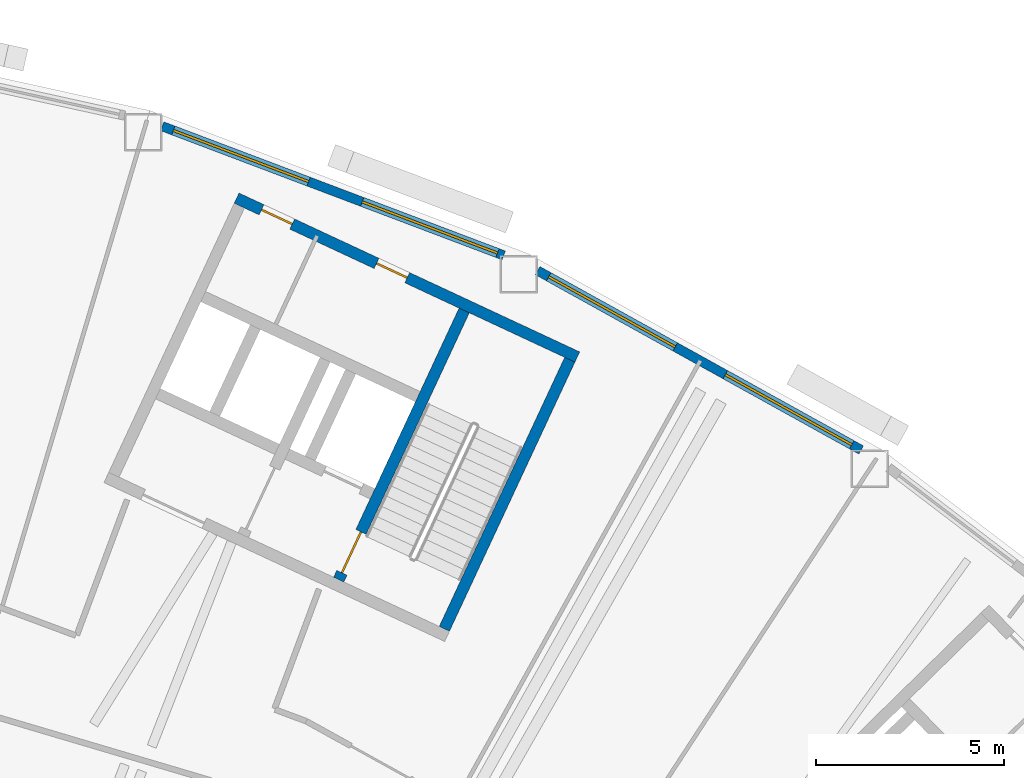
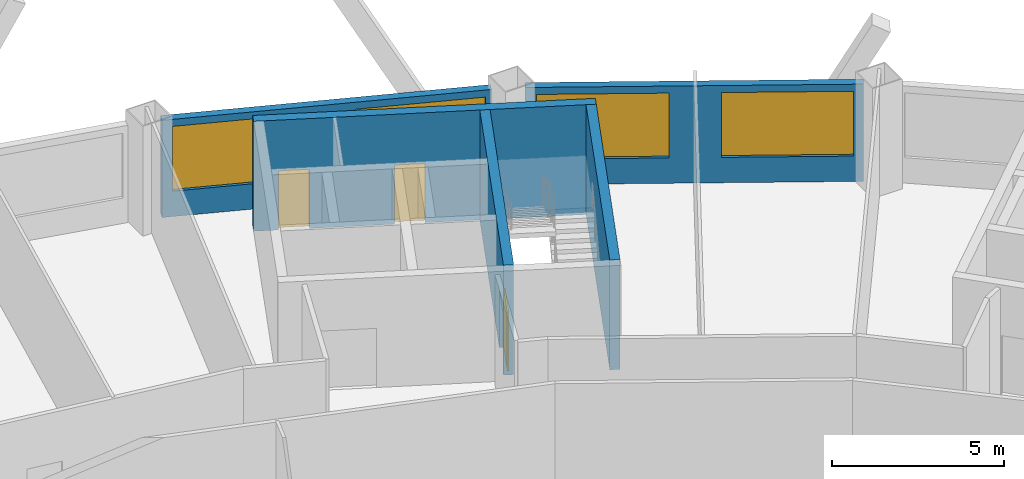
# One storey, part 8 of 11: 5 walls, 4 windows, 3 doors, 7 openings.
"""IFC4 building model written with IfcOpenShell, lengths in metres."""

from ifc_helpers import new_model, si_unit, direction, frame, frame_2d, origin, place, context, subcontext, project, spatial, rectangle, extrude, material, layer, layer_set, type_object, element, fill, save


model = new_model("IFC4")

# Units and contexts
model_context = context("Model", 3, precision=1e-05, world=origin(), true_north=direction((0.0, 1.0)))
body_context = subcontext(model_context, "Body", "Model", "MODEL_VIEW")
ifc_project = project(units=[si_unit("LENGTHUNIT", "METRE"), si_unit("AREAUNIT", "SQUARE_METRE"), si_unit("VOLUMEUNIT", "CUBIC_METRE"), si_unit("PLANEANGLEUNIT", "RADIAN"), si_unit("MASSUNIT", "GRAM", prefix="KILO")], contexts=[model_context])

# Site, building, storey
site_placement = place(None, origin())
site = spatial("IfcSite", under=ifc_project, at=site_placement, CompositionType="ELEMENT")
building_placement = place(site_placement, origin())
building = spatial("IfcBuilding", under=site, at=building_placement, Name="Tuul Gate Civic Tower", CompositionType="ELEMENT")
storey_placement = place(building_placement, frame((0.0, 0.0, 138.199951171875)))
storey = spatial("IfcBuildingStorey", under=building, at=storey_placement, Name="Level 31", CompositionType="ELEMENT", Elevation=138.199951171875)

# Wall, openings, doors
ifc_material_1 = material(Name="Concrete C50/60", Category="concrete")
ifc_layer_1 = layer(ifc_material_1, 0.300048828125)
ifc_layer_set_1 = layer_set([ifc_layer_1], Name="Concrete C50/60")
wall_type_1 = type_object("IfcWallType", Name="Core wall C50/60", PredefinedType="SHEAR", material=ifc_layer_set_1)
wall_1_placement = place(storey_placement, frame((37.993408203125, 0.181884765625, 0.0), z_axis=(0.0, 0.0, 1.0), x_axis=(-0.906310338845, 0.422612789327, 0.0)))
wall_1 = element("IfcWall", 1, at=wall_1_placement, inside=storey, type_object=wall_type_1, Name="Core wall", PredefinedType="SHEAR", context=body_context, shape_type="SweptSolid", body=[
    extrude(rectangle(XDim=9.999755859375, YDim=0.300048828125, at=frame_2d((5.0, 0.0))), origin(), (0.0, 0.0, 1.0), 3.900146484375),
])
opening_1_placement = place(wall_1_placement, frame((4.99365234375, 0.0, 0.0)))
opening_1 = element("IfcOpeningElement", 2, at=opening_1_placement, cuts=wall_1, Name="Opening K-D26", PredefinedType="OPENING", context=body_context, shape_type="SweptSolid", body=[
    extrude(rectangle(XDim=0.89990234375, YDim=2.10009765625, at=frame_2d((0.449951171875, 1.050048828125))), frame((0.0, 0.16015625, 0.0), z_axis=(0.0, -1.0, 0.0), x_axis=(1.0, 0.0, 0.0)), (0.0, 0.0, 1.0), 0.320068359375),
])
opening_2_placement = place(wall_1_placement, frame((8.368896484375, 0.0, 0.0)))
opening_2 = element("IfcOpeningElement", 3, at=opening_2_placement, cuts=wall_1, Name="Opening K-D27", PredefinedType="OPENING", context=body_context, shape_type="SweptSolid", body=[
    extrude(rectangle(XDim=0.89990234375, YDim=2.10009765625, at=frame_2d((0.449951171875, 1.050048828125))), frame((0.0, 0.16015625, 0.0), z_axis=(0.0, -1.0, 0.0), x_axis=(1.0, 0.0, 0.0)), (0.0, 0.0, 1.0), 0.320068359375),
])
ifc_material_2 = material(Name="Timber door leaf", Category="wood")
door_type_1 = type_object("IfcDoorType", Name="Door D09", OperationType="NOTDEFINED", PredefinedType="DOOR", material=ifc_material_2)
door_1_placement = place(opening_1_placement, origin())
door_1 = element("IfcDoor", 4, at=door_1_placement, inside=storey, type_object=door_type_1, Name="Door K-D26", OperationType="SINGLE_SWING_LEFT", OverallHeight=2.10009765625, OverallWidth=0.89990234375, PredefinedType="DOOR", context=body_context, shape_type="SweptSolid", body=[
    extrude(rectangle(XDim=0.89990234375, YDim=2.10009765625, at=frame_2d((0.449951171875, 1.050048828125))), frame((0.0, 0.02490234375, 0.0), z_axis=(0.0, -1.0, 0.0), x_axis=(1.0, 0.0, 0.0)), (0.0, 0.0, 1.0), 0.050048828125),
])
fill(opening_1, door_1)
door_2_placement = place(opening_2_placement, origin())
door_2 = element("IfcDoor", 5, at=door_2_placement, inside=storey, type_object=door_type_1, Name="Door K-D27", OperationType="SINGLE_SWING_RIGHT", OverallHeight=2.10009765625, OverallWidth=0.89990234375, PredefinedType="DOOR", context=body_context, shape_type="SweptSolid", body=[
    extrude(rectangle(XDim=0.89990234375, YDim=2.10009765625, at=frame_2d((0.449951171875, 1.050048828125))), frame((0.0, 0.02490234375, 0.0), z_axis=(0.0, -1.0, 0.0), x_axis=(1.0, 0.0, 0.0)), (0.0, 0.0, 1.0), 0.050048828125),
])
fill(opening_2, door_2)

# Wall
wall_2_placement = place(storey_placement, frame((34.455810546875, -7.05078125, 0.0), z_axis=(0.0, 0.0, 1.0), x_axis=(0.422570768258, 0.906329932096, 0.0)))
element("IfcWall", 6, at=wall_2_placement, inside=storey, type_object=wall_type_1, Name="Core wall", PredefinedType="SHEAR", context=body_context, shape_type="SweptSolid", body=[
    extrude(rectangle(XDim=7.900146484375, YDim=0.300048828125, at=frame_2d((3.9501953125, 0.0))), origin(), (0.0, 0.0, 1.0), 3.900146484375),
])

# Wall, opening, door
wall_3_placement = place(storey_placement, frame((31.646240234375, -5.740478515625, 0.0), z_axis=(0.0, 0.0, 1.0), x_axis=(0.422582604137, 0.906324413596, 0.0)))
wall_3 = element("IfcWall", 7, at=wall_3_placement, inside=storey, type_object=wall_type_1, Name="Core wall", PredefinedType="SHEAR", context=body_context, shape_type="SweptSolid", body=[
    extrude(rectangle(XDim=7.89990234375, YDim=0.300048828125, at=frame_2d((3.949951171875, 0.0))), origin(), (0.0, 0.0, 1.0), 3.900146484375),
])
opening_3_placement = place(wall_3_placement, frame((0.199951171875, 0.0, 0.0)))
opening_3 = element("IfcOpeningElement", 8, at=opening_3_placement, cuts=wall_3, Name="Opening SD-ST-4", PredefinedType="OPENING", context=body_context, shape_type="SweptSolid", body=[
    extrude(rectangle(XDim=1.199951171875, YDim=2.10009765625, at=frame_2d((0.60009765625, 1.050048828125))), frame((0.0, 0.16015625, 0.0), z_axis=(0.0, -1.0, 0.0), x_axis=(1.0, 0.0, 0.0)), (0.0, 0.0, 1.0), 0.320068359375),
])
ifc_material_3 = material(Name="Steel", Category="steel")
door_type_2 = type_object("IfcDoorType", Name="Stair door", OperationType="NOTDEFINED", PredefinedType="DOOR", material=ifc_material_3)
door_3_placement = place(opening_3_placement, origin())
door_3 = element("IfcDoor", 9, at=door_3_placement, inside=storey, type_object=door_type_2, Name="Stair door ST-4", OperationType="SINGLE_SWING_LEFT", OverallHeight=2.10009765625, OverallWidth=1.199951171875, PredefinedType="DOOR", context=body_context, shape_type="SweptSolid", body=[
    extrude(rectangle(XDim=1.199951171875, YDim=2.10009765625, at=frame_2d((0.60009765625, 1.050048828125))), frame((0.0, 0.02490234375, 0.0), z_axis=(0.0, -1.0, 0.0), x_axis=(1.0, 0.0, 0.0)), (0.0, 0.0, 1.0), 0.050048828125),
])
fill(opening_3, door_3)

# Wall, openings, windows
ifc_material_4 = material(Name="Precast concrete C40/50", Category="concrete")
ifc_layer_2 = layer(ifc_material_4, 0.25)
ifc_layer_set_2 = layer_set([ifc_layer_2], Name="Precast concrete C40/50")
wall_type_2 = type_object("IfcWallType", Name="External wall", PredefinedType="STANDARD", material=ifc_layer_set_2)
wall_4_placement = place(storey_placement, frame((45.545166015625, -2.291015625, 0.0), z_axis=(0.0, 0.0, 1.0), x_axis=(-0.874631968484, 0.484787499536, 0.0)))
wall_4 = element("IfcWall", 10, at=wall_4_placement, inside=storey, type_object=wall_type_2, Name="External wall", PredefinedType="STANDARD", context=body_context, shape_type="SweptSolid", body=[
    extrude(rectangle(XDim=9.8408203125, YDim=0.25, at=frame_2d((4.92041015625, 0.0))), origin(), (0.0, 0.0, 1.0), 3.449951171875),
])
opening_4_placement = place(wall_4_placement, frame((0.283447265625, 0.0, 0.89990234375)))
opening_4 = element("IfcOpeningElement", 11, at=opening_4_placement, cuts=wall_4, Name="Opening W22", PredefinedType="OPENING", context=body_context, shape_type="SweptSolid", body=[
    extrude(rectangle(XDim=3.85009765625, YDim=2.300048828125, at=frame_2d((1.925048828125, 1.14990234375))), frame((0.0, 0.135009765625, 0.0), z_axis=(0.0, -1.0, 0.0), x_axis=(1.0, 0.0, 0.0)), (0.0, 0.0, 1.0), 0.27001953125),
])
opening_5_placement = place(wall_4_placement, frame((5.655029296875, 0.0, 0.89990234375)))
opening_5 = element("IfcOpeningElement", 12, at=opening_5_placement, cuts=wall_4, Name="Opening W22", PredefinedType="OPENING", context=body_context, shape_type="SweptSolid", body=[
    extrude(rectangle(XDim=3.85009765625, YDim=2.300048828125, at=frame_2d((1.925048828125, 1.14990234375))), frame((0.0, 0.135009765625, 0.0), z_axis=(0.0, -1.0, 0.0), x_axis=(1.0, 0.0, 0.0)), (0.0, 0.0, 1.0), 0.27001953125),
])
ifc_material_5 = material(Name="Glass", Category="glass")
window_type = type_object("IfcWindowType", Name="Window W22 3850 x 2300", PartitioningType="SINGLE_PANEL", PredefinedType="WINDOW", material=ifc_material_5)
window_1_placement = place(opening_4_placement, origin())
window_1 = element("IfcWindow", 13, at=window_1_placement, inside=storey, type_object=window_type, Name="Window", OverallHeight=2.300048828125, OverallWidth=3.85009765625, PartitioningType="SINGLE_PANEL", PredefinedType="WINDOW", context=body_context, shape_type="SweptSolid", body=[
    extrude(rectangle(XDim=3.85009765625, YDim=2.300048828125, at=frame_2d((1.925048828125, 1.14990234375))), frame((0.0, 0.030029296875, 0.0), z_axis=(0.0, -1.0, 0.0), x_axis=(1.0, 0.0, 0.0)), (0.0, 0.0, 1.0), 0.06005859375),
])
fill(opening_4, window_1)
window_2_placement = place(opening_5_placement, origin())
window_2 = element("IfcWindow", 14, at=window_2_placement, inside=storey, type_object=window_type, Name="Window", OverallHeight=2.300048828125, OverallWidth=3.85009765625, PartitioningType="SINGLE_PANEL", PredefinedType="WINDOW", context=body_context, shape_type="SweptSolid", body=[
    extrude(rectangle(XDim=3.85009765625, YDim=2.300048828125, at=frame_2d((1.925048828125, 1.14990234375))), frame((0.0, 0.030029296875, 0.0), z_axis=(0.0, -1.0, 0.0), x_axis=(1.0, 0.0, 0.0)), (0.0, 0.0, 1.0), 0.06005859375),
])
fill(opening_5, window_2)

wall_5_placement = place(storey_placement, frame((36.03564453125, 2.885009765625, 0.0), z_axis=(0.0, 0.0, 1.0), x_axis=(-0.935351451724, 0.353719750307, 0.0)))
wall_5 = element("IfcWall", 15, at=wall_5_placement, inside=storey, type_object=wall_type_2, Name="External wall", PredefinedType="STANDARD", context=body_context, shape_type="SweptSolid", body=[
    extrude(rectangle(XDim=9.712646484375, YDim=0.25, at=frame_2d((4.8564453125, 0.0))), origin(), (0.0, 0.0, 1.0), 3.449951171875),
])
opening_6_placement = place(wall_5_placement, frame((0.17578125, 0.0, 0.89990234375)))
opening_6 = element("IfcOpeningElement", 16, at=opening_6_placement, cuts=wall_5, Name="Opening W22", PredefinedType="OPENING", context=body_context, shape_type="SweptSolid", body=[
    extrude(rectangle(XDim=3.85009765625, YDim=2.300048828125, at=frame_2d((1.925048828125, 1.14990234375))), frame((0.0, 0.135009765625, 0.0), z_axis=(0.0, -1.0, 0.0), x_axis=(1.0, 0.0, 0.0)), (0.0, 0.0, 1.0), 0.27001953125),
])
opening_7_placement = place(wall_5_placement, frame((5.546875, 0.0, 0.89990234375)))
opening_7 = element("IfcOpeningElement", 17, at=opening_7_placement, cuts=wall_5, Name="Opening W22", PredefinedType="OPENING", context=body_context, shape_type="SweptSolid", body=[
    extrude(rectangle(XDim=3.85009765625, YDim=2.300048828125, at=frame_2d((1.925048828125, 1.14990234375))), frame((0.0, 0.135009765625, 0.0), z_axis=(0.0, -1.0, 0.0), x_axis=(1.0, 0.0, 0.0)), (0.0, 0.0, 1.0), 0.27001953125),
])
window_3_placement = place(opening_6_placement, origin())
window_3 = element("IfcWindow", 18, at=window_3_placement, inside=storey, type_object=window_type, Name="Window", OverallHeight=2.300048828125, OverallWidth=3.85009765625, PartitioningType="SINGLE_PANEL", PredefinedType="WINDOW", context=body_context, shape_type="SweptSolid", body=[
    extrude(rectangle(XDim=3.85009765625, YDim=2.300048828125, at=frame_2d((1.925048828125, 1.14990234375))), frame((0.0, 0.030029296875, 0.0), z_axis=(0.0, -1.0, 0.0), x_axis=(1.0, 0.0, 0.0)), (0.0, 0.0, 1.0), 0.06005859375),
])
fill(opening_6, window_3)
window_4_placement = place(opening_7_placement, origin())
window_4 = element("IfcWindow", 19, at=window_4_placement, inside=storey, type_object=window_type, Name="Window", OverallHeight=2.300048828125, OverallWidth=3.85009765625, PartitioningType="SINGLE_PANEL", PredefinedType="WINDOW", context=body_context, shape_type="SweptSolid", body=[
    extrude(rectangle(XDim=3.85009765625, YDim=2.300048828125, at=frame_2d((1.925048828125, 1.14990234375))), frame((0.0, 0.030029296875, 0.0), z_axis=(0.0, -1.0, 0.0), x_axis=(1.0, 0.0, 0.0)), (0.0, 0.0, 1.0), 0.06005859375),
])
fill(opening_7, window_4)

save(model, "model.ifc")
